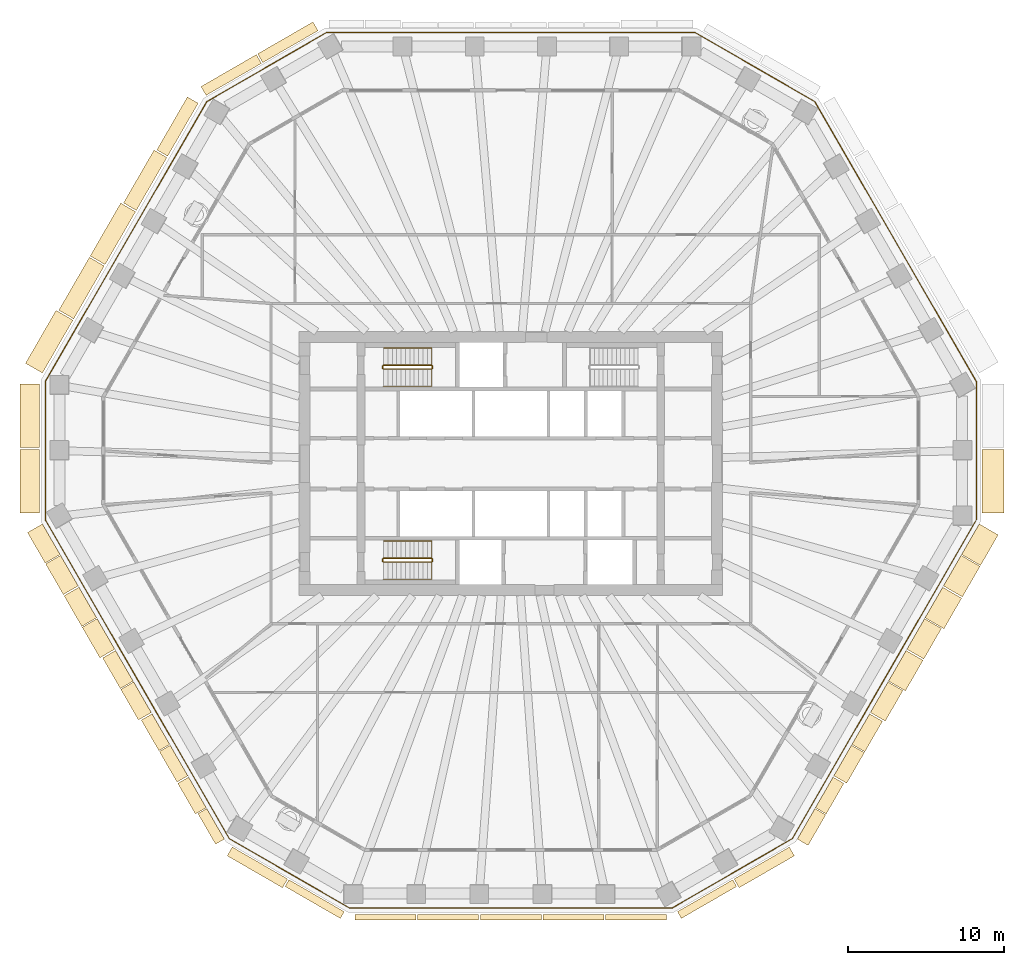
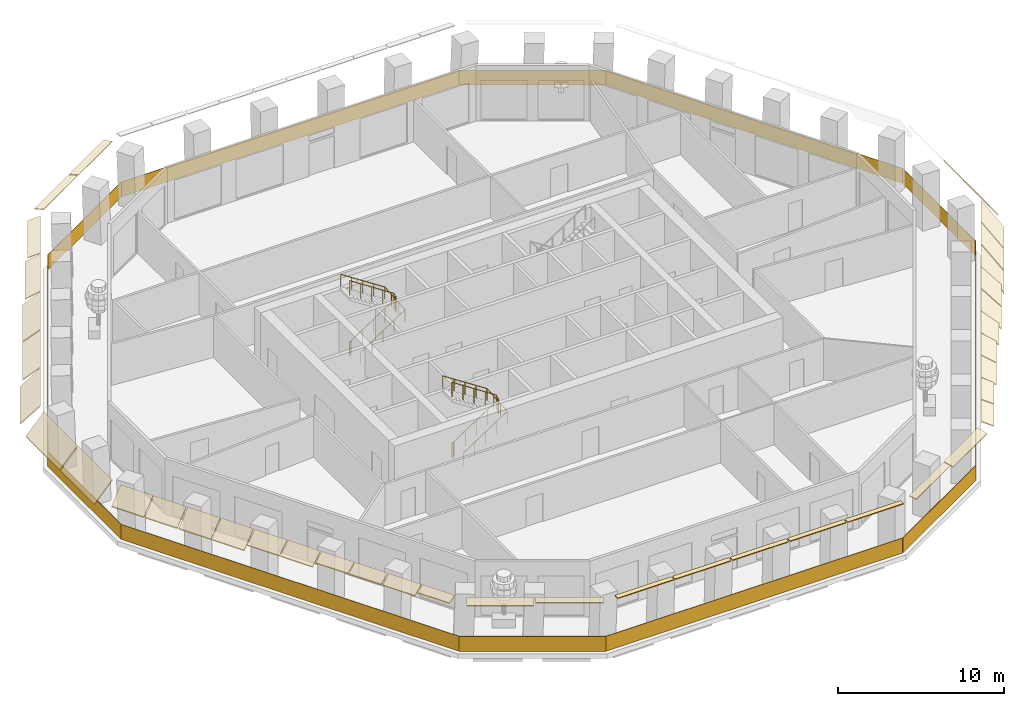
# One storey, part 9 of 12: 39 coverings, 5 railings.
"""IFC4 building model written with IfcOpenShell, lengths in metres."""

from ifc_helpers import new_model, si_unit, direction, frame, origin, origin_2d, place, context, subcontext, project, spatial, polyline, rectangle, circle, outline, extrude, material, layer, layer_set, type_object, element, save


model = new_model("IFC4")

# Units and contexts
model_context = context("Model", 3, precision=1e-05, world=origin(), true_north=direction((0.0, 1.0)))
body_context = subcontext(model_context, "Body", "Model", "MODEL_VIEW")
ifc_project = project(units=[si_unit("LENGTHUNIT", "METRE"), si_unit("AREAUNIT", "SQUARE_METRE"), si_unit("VOLUMEUNIT", "CUBIC_METRE"), si_unit("PLANEANGLEUNIT", "RADIAN"), si_unit("MASSUNIT", "GRAM", prefix="KILO")], contexts=[model_context])

# Site, building, storey
site_placement = place(None, origin())
site = spatial("IfcSite", under=ifc_project, at=site_placement, CompositionType="ELEMENT")
building_placement = place(site_placement, origin())
building = spatial("IfcBuilding", under=site, at=building_placement, Name="Frailejon Research Tower", CompositionType="ELEMENT")
storey_placement = place(building_placement, frame((0.0, 0.0, 171.60009765625)))
storey = spatial("IfcBuildingStorey", under=building, at=storey_placement, Name="L37", CompositionType="ELEMENT", Elevation=171.60009765625)

# Coverings
ifc_material_1 = material(Name="Precast concrete C50/60", Category="concrete")
ifc_layer_1 = layer(ifc_material_1, 0.06005859375)
ifc_layer_set_1 = layer_set([ifc_layer_1], Name="Brim blade depth 1100")
covering_type_1 = type_object("IfcCoveringType", Name="Brim blade depth 1100", PredefinedType="CLADDING", material=ifc_layer_set_1)
for number, where, z_axis, x_axis, name in (
    (1, (-25.977294921875, 12.74169921875, 4.25), (0.49999743218, 0.866026886311, 0.0), (-0.866026886311, 0.49999743218, 0.0), "Brim blade L37"),
    (2, (-27.981689453125, 9.270263671875, 4.25), (0.49999743218, 0.866026886311, 0.0), (-0.866026886311, 0.49999743218, 0.0), "Brim blade L37"),
):
    element("IfcCovering", number, at=place(storey_placement, frame(where, z_axis=z_axis, x_axis=x_axis)), inside=storey, type_object=covering_type_1, Name=name, PredefinedType="CLADDING", context=body_context, shape_type="SweptSolid", body=[
        extrude(outline(polyline([(0.0, -0.078369140625), (1.10009765625, -1.001220703125), (1.10009765625, -0.923095703125), (0.0, 0.0), (0.0, -0.078369140625)])), origin(), (0.0, 0.0, 1.0), 3.908447265625),
    ])
for number, where, z_axis, x_axis, name in (
    (3, (-28.856201171875, -5.819580078125, 4.25), (-0.499993786927, 0.866028990874, 0.0), (-0.866028990874, -0.499993786927, 0.0), "Brim blade L37"),
    (4, (-27.6962890625, -7.82861328125, 4.25), (-0.499993786927, 0.866028990874, 0.0), (-0.866028990874, -0.499993786927, 0.0), "Brim blade L37"),
    (5, (-26.5166015625, -9.871826171875, 4.25), (-0.500003041024, 0.866023648041, 0.0), (-0.866023648041, -0.500003041024, 0.0), "Brim blade L37"),
    (6, (-25.356689453125, -11.880615234375, 4.25), (-0.500003041024, 0.866023648041, 0.0), (-0.866023648041, -0.500003041024, 0.0), "Brim blade L37"),
    (7, (24.147216796875, -13.97607421875, 4.25), (-0.499993786927, -0.866028990874, 0.0), (0.866028990874, -0.499993786927, 0.0), "Brim blade L37"),
):
    element("IfcCovering", number, at=place(storey_placement, frame(where, z_axis=z_axis, x_axis=x_axis)), inside=storey, type_object=covering_type_1, Name=name, PredefinedType="CLADDING", context=body_context, shape_type="SweptSolid", body=[
        extrude(outline(polyline([(0.0, -0.078369140625), (1.10009765625, -1.001220703125), (1.10009765625, -0.923095703125), (0.0, 0.0), (0.0, -0.078369140625)])), origin(), (0.0, 0.0, 1.0), 2.259521484375),
    ])
ifc_material_2 = material(Name="Precast concrete C50/60", Category="concrete")
ifc_layer_2 = layer(ifc_material_2, 0.06005859375)
ifc_layer_set_2 = layer_set([ifc_layer_2], Name="Brim blade depth 1250")
covering_type_2 = type_object("IfcCoveringType", Name="Brim blade depth 1250", PredefinedType="CLADDING", material=ifc_layer_set_2)
covering_1_placement = place(storey_placement, frame((-29.98583984375, 5.798828125, 4.25), z_axis=(0.49999743218, 0.866026886311, 0.0), x_axis=(-0.866026886311, 0.49999743218, 0.0)))
element("IfcCovering", 8, at=covering_1_placement, inside=storey, type_object=covering_type_2, Name="Brim blade L37", PredefinedType="CLADDING", context=body_context, shape_type="SweptSolid", body=[
    extrude(outline(polyline([(0.0, -0.0888671875), (1.25, -1.452880859375), (1.25, -1.364013671875), (0.0, 0.0), (0.0, -0.0888671875)])), origin(), (0.0, 0.0, 1.0), 3.908447265625),
])
covering_2_placement = place(storey_placement, frame((-30.171630859375, 1.017822265625, 4.25), z_axis=(0.0, 1.0, 0.0), x_axis=(-1.0, 0.0, 0.0)))
element("IfcCovering", 9, at=covering_2_placement, inside=storey, type_object=covering_type_2, Name="Brim blade L37", PredefinedType="CLADDING", context=body_context, shape_type="SweptSolid", body=[
    extrude(outline(polyline([(0.0, -0.0888671875), (1.25, -1.452880859375), (1.25, -1.364013671875), (0.0, 0.0), (0.0, -0.0888671875)])), origin(), (0.0, 0.0, 1.0), 4.087646484375),
])
covering_3_placement = place(storey_placement, frame((-30.171630859375, -3.169677734375, 4.25), z_axis=(0.0, 1.0, 0.0), x_axis=(-1.0, 0.0, 0.0)))
element("IfcCovering", 10, at=covering_3_placement, inside=storey, type_object=covering_type_2, Name="Brim blade L37", PredefinedType="CLADDING", context=body_context, shape_type="SweptSolid", body=[
    extrude(outline(polyline([(0.0, -0.0888671875), (1.25, -1.452880859375), (1.25, -1.364013671875), (0.0, 0.0), (0.0, -0.0888671875)])), origin(), (0.0, 0.0, 1.0), 4.08740234375),
])
for number, where, z_axis, x_axis, name in (
    (11, (25.306884765625, -11.96728515625, 4.25), (-0.499993786927, -0.866028990874, 0.0), (0.866028990874, -0.499993786927, 0.0), "Brim blade L37"),
    (12, (26.486572265625, -9.923828125, 4.25), (-0.500003041024, -0.866023648041, 0.0), (0.866023648041, -0.500003041024, 0.0), "Brim blade L37"),
):
    element("IfcCovering", number, at=place(storey_placement, frame(where, z_axis=z_axis, x_axis=x_axis)), inside=storey, type_object=covering_type_2, Name=name, PredefinedType="CLADDING", context=body_context, shape_type="SweptSolid", body=[
        extrude(outline(polyline([(0.0, -0.0888671875), (1.25, -1.452880859375), (1.25, -1.364013671875), (0.0, 0.0), (0.0, -0.0888671875)])), origin(), (0.0, 0.0, 1.0), 2.259521484375),
    ])
ifc_material_3 = material(Name="Precast concrete C50/60", Category="concrete")
ifc_layer_3 = layer(ifc_material_3, 0.06005859375)
ifc_layer_set_3 = layer_set([ifc_layer_3], Name="Brim blade depth 1400")
covering_type_3 = type_object("IfcCoveringType", Name="Brim blade depth 1400", PredefinedType="CLADDING", material=ifc_layer_set_3)
covering_4_placement = place(storey_placement, frame((30.171630859375, 0.91796875, 4.25), z_axis=(0.0, -1.0, 0.0), x_axis=(1.0, 0.0, 0.0)))
element("IfcCovering", 13, at=covering_4_placement, inside=storey, type_object=covering_type_3, Name="Brim blade L37", PredefinedType="CLADDING", context=body_context, shape_type="SweptSolid", body=[
    extrude(outline(polyline([(0.0, -0.1044921875), (1.39990234375, -2.10400390625), (1.39990234375, -1.99951171875), (0.0, 0.0), (0.0, -0.1044921875)])), origin(), (0.0, 0.0, 1.0), 4.08740234375),
])
for number, where, z_axis, x_axis, name in (
    (14, (27.646240234375, -7.9150390625, 4.25), (-0.500003041024, -0.866023648041, 0.0), (0.866023648041, -0.500003041024, 0.0), "Brim blade L37"),
    (15, (28.826171875, -5.87158203125, 4.25), (-0.499993786927, -0.866028990874, 0.0), (0.866028990874, -0.499993786927, 0.0), "Brim blade L37"),
    (16, (29.98583984375, -3.86279296875, 4.25), (-0.499993786927, -0.866028990874, 0.0), (0.866028990874, -0.499993786927, 0.0), "Brim blade L37"),
):
    element("IfcCovering", number, at=place(storey_placement, frame(where, z_axis=z_axis, x_axis=x_axis)), inside=storey, type_object=covering_type_3, Name=name, PredefinedType="CLADDING", context=body_context, shape_type="SweptSolid", body=[
        extrude(outline(polyline([(0.0, -0.1044921875), (1.39990234375, -2.10400390625), (1.39990234375, -1.99951171875), (0.0, 0.0), (0.0, -0.1044921875)])), origin(), (0.0, 0.0, 1.0), 2.259521484375),
    ])
ifc_material_4 = material(Name="Precast concrete C50/60", Category="concrete")
ifc_layer_4 = layer(ifc_material_4, 0.06005859375)
ifc_layer_set_4 = layer_set([ifc_layer_4], Name="Brim blade depth 350")
covering_type_4 = type_object("IfcCoveringType", Name="Brim blade depth 350", PredefinedType="CLADDING", material=ifc_layer_set_4)
for number, where, z_axis, x_axis, name in (
    (17, (-6.0625, -28.867919921875, 4.25), (-1.0, 0.0, 0.0), (0.0, -1.0, 0.0), "Brim blade L37"),
    (18, (-2.05419921875, -28.867919921875, 4.25), (-1.0, 0.0, 0.0), (0.0, -1.0, 0.0), "Brim blade L37"),
    (19, (1.9541015625, -28.867919921875, 4.25), (-1.0, 0.0, 0.0), (0.0, -1.0, 0.0), "Brim blade L37"),
    (20, (5.962646484375, -28.867919921875, 4.25), (-1.0, 0.0, 0.0), (0.0, -1.0, 0.0), "Brim blade L37"),
    (21, (9.970947265625, -28.867919921875, 4.25), (-1.0, 0.0, 0.0), (0.0, -1.0, 0.0), "Brim blade L37"),
):
    element("IfcCovering", number, at=place(storey_placement, frame(where, z_axis=z_axis, x_axis=x_axis)), inside=storey, type_object=covering_type_4, Name=name, PredefinedType="CLADDING", context=body_context, shape_type="SweptSolid", body=[
        extrude(outline(polyline([(0.0, -0.06005859375), (0.35009765625, -0.06005859375), (0.35009765625, 0.0), (0.0, 0.0), (0.0, -0.06005859375)])), origin(), (0.0, 0.0, 1.0), 3.908447265625),
    ])
ifc_material_5 = material(Name="Precast concrete C50/60", Category="concrete")
ifc_layer_5 = layer(ifc_material_5, 0.06005859375)
ifc_layer_set_5 = layer_set([ifc_layer_5], Name="Brim blade depth 500")
covering_type_5 = type_object("IfcCoveringType", Name="Brim blade depth 500", PredefinedType="CLADDING", material=ifc_layer_set_5)
for number, where, z_axis, x_axis, name in (
    (22, (-10.664306640625, -28.68212890625, 4.25), (-0.866027315287, 0.499996689166, 0.0), (-0.499996689166, -0.866027315287, 0.0), "Brim blade L37"),
    (23, (14.204345703125, -26.63818359375, 4.25), (-0.866027315287, -0.499996689166, 0.0), (0.499996689166, -0.866027315287, 0.0), "Brim blade L37"),
):
    element("IfcCovering", number, at=place(storey_placement, frame(where, z_axis=z_axis, x_axis=x_axis)), inside=storey, type_object=covering_type_5, Name=name, PredefinedType="CLADDING", context=body_context, shape_type="SweptSolid", body=[
        extrude(outline(polyline([(0.0, -0.060546875), (0.5, -0.130859375), (0.5, -0.0703125), (0.0, 0.0), (0.0, -0.060546875)])), origin(), (0.0, 0.0, 1.0), 4.087646484375),
    ])
ifc_material_6 = material(Name="Precast concrete C50/60", Category="concrete")
ifc_layer_6 = layer(ifc_material_6, 0.06005859375)
ifc_layer_set_6 = layer_set([ifc_layer_6], Name="Brim blade depth 650")
covering_type_6 = type_object("IfcCoveringType", Name="Brim blade depth 650", PredefinedType="CLADDING", material=ifc_layer_set_6)
covering_5_placement = place(storey_placement, frame((-15.880859375, 25.67041015625, 4.25), z_axis=(0.866027315287, 0.499996689166, 0.0), x_axis=(-0.499996689166, 0.866027315287, 0.0)))
element("IfcCovering", 24, at=covering_5_placement, inside=storey, type_object=covering_type_6, Name="Brim blade L37", PredefinedType="CLADDING", context=body_context, shape_type="SweptSolid", body=[
    extrude(outline(polyline([(0.0, -0.0625), (0.64990234375, -0.248779296875), (0.64990234375, -0.186279296875), (0.0, 0.0), (0.0, -0.0625)])), origin(), (0.0, 0.0, 1.0), 4.087646484375),
])
covering_6_placement = place(storey_placement, frame((-19.50732421875, 23.57666015625, 4.25), z_axis=(0.866021344981, 0.500007029989, 0.0), x_axis=(-0.500007029989, 0.866021344981, 0.0)))
element("IfcCovering", 25, at=covering_6_placement, inside=storey, type_object=covering_type_6, Name="Brim blade L37", PredefinedType="CLADDING", context=body_context, shape_type="SweptSolid", body=[
    extrude(outline(polyline([(0.0, -0.0625), (0.64990234375, -0.248779296875), (0.64990234375, -0.186279296875), (0.0, 0.0), (0.0, -0.0625)])), origin(), (0.0, 0.0, 1.0), 4.08740234375),
])
covering_7_placement = place(storey_placement, frame((-18.33837890625, -24.037109375, 4.25), z_axis=(-0.499993786927, 0.866028990874, 0.0), x_axis=(-0.866028990874, -0.499993786927, 0.0)))
element("IfcCovering", 26, at=covering_7_placement, inside=storey, type_object=covering_type_6, Name="Brim blade L37", PredefinedType="CLADDING", context=body_context, shape_type="SweptSolid", body=[
    extrude(outline(polyline([(0.0, -0.0625), (0.64990234375, -0.248779296875), (0.64990234375, -0.186279296875), (0.0, 0.0), (0.0, -0.0625)])), origin(), (0.0, 0.0, 1.0), 2.259521484375),
])
for number, where, z_axis, x_axis, name in (
    (27, (-14.291015625, -26.58837890625, 4.25), (-0.866031685881, 0.499989118931, 0.0), (-0.499989118931, -0.866031685881, 0.0), "Brim blade L37"),
    (28, (17.830810546875, -24.544677734375, 4.25), (-0.866031685881, -0.499989118931, 0.0), (0.499989118931, -0.866031685881, 0.0), "Brim blade L37"),
):
    element("IfcCovering", number, at=place(storey_placement, frame(where, z_axis=z_axis, x_axis=x_axis)), inside=storey, type_object=covering_type_6, Name=name, PredefinedType="CLADDING", context=body_context, shape_type="SweptSolid", body=[
        extrude(outline(polyline([(0.0, -0.0625), (0.64990234375, -0.248779296875), (0.64990234375, -0.186279296875), (0.0, 0.0), (0.0, -0.0625)])), origin(), (0.0, 0.0, 1.0), 4.08740234375),
    ])
ifc_material_7 = material(Name="Precast concrete C50/60", Category="concrete")
ifc_layer_7 = layer(ifc_material_7, 0.06005859375)
ifc_layer_set_7 = layer_set([ifc_layer_7], Name="Brim blade depth 800")
covering_type_7 = type_object("IfcCoveringType", Name="Brim blade depth 800", PredefinedType="CLADDING", material=ifc_layer_set_7)
covering_8_placement = place(storey_placement, frame((-21.968994140625, 19.684326171875, 4.25), z_axis=(0.49999743218, 0.866026886311, 0.0), x_axis=(-0.866026886311, 0.49999743218, 0.0)))
element("IfcCovering", 29, at=covering_8_placement, inside=storey, type_object=covering_type_7, Name="Brim blade L37", PredefinedType="CLADDING", context=body_context, shape_type="SweptSolid", body=[
    extrude(outline(polyline([(0.0, -0.065673828125), (0.800048828125, -0.421875), (0.800048828125, -0.356201171875), (0.0, 0.0), (0.0, -0.065673828125)])), origin(), (0.0, 0.0, 1.0), 3.908447265625),
])
for number, where, z_axis, x_axis, name in (
    (30, (-21.837646484375, -17.976318359375, 4.25), (-0.500003041024, 0.866023648041, 0.0), (-0.866023648041, -0.500003041024, 0.0), "Brim blade L37"),
    (31, (-20.677734375, -19.98486328125, 4.25), (-0.500003041024, 0.866023648041, 0.0), (-0.866023648041, -0.500003041024, 0.0), "Brim blade L37"),
    (32, (-19.498046875, -22.0283203125, 4.25), (-0.499993786927, 0.866028990874, 0.0), (-0.866028990874, -0.499993786927, 0.0), "Brim blade L37"),
    (33, (19.468017578125, -22.080322265625, 4.25), (-0.499993786927, -0.866028990874, 0.0), (0.866028990874, -0.499993786927, 0.0), "Brim blade L37"),
    (34, (20.627685546875, -20.071533203125, 4.25), (-0.499993786927, -0.866028990874, 0.0), (0.866028990874, -0.499993786927, 0.0), "Brim blade L37"),
):
    element("IfcCovering", number, at=place(storey_placement, frame(where, z_axis=z_axis, x_axis=x_axis)), inside=storey, type_object=covering_type_7, Name=name, PredefinedType="CLADDING", context=body_context, shape_type="SweptSolid", body=[
        extrude(outline(polyline([(0.0, -0.065673828125), (0.800048828125, -0.421875), (0.800048828125, -0.356201171875), (0.0, 0.0), (0.0, -0.065673828125)])), origin(), (0.0, 0.0, 1.0), 2.259521484375),
    ])
ifc_material_8 = material(Name="Precast concrete C50/60", Category="concrete")
ifc_layer_8 = layer(ifc_material_8, 0.06005859375)
ifc_layer_set_8 = layer_set([ifc_layer_8], Name="Brim blade depth 950")
covering_type_8 = type_object("IfcCoveringType", Name="Brim blade depth 950", PredefinedType="CLADDING", material=ifc_layer_set_8)
covering_9_placement = place(storey_placement, frame((-23.97314453125, 16.212890625, 4.25), z_axis=(0.500008235109, 0.86602064919, 0.0), x_axis=(-0.86602064919, 0.500008235109, 0.0)))
element("IfcCovering", 35, at=covering_9_placement, inside=storey, type_object=covering_type_8, Name="Brim blade L37", PredefinedType="CLADDING", context=body_context, shape_type="SweptSolid", body=[
    extrude(outline(polyline([(0.0, -0.07080078125), (0.949951171875, -0.664306640625), (0.949951171875, -0.593505859375), (0.0, 0.0), (0.0, -0.07080078125)])), origin(), (0.0, 0.0, 1.0), 3.908203125),
])
for number, where, z_axis, x_axis, name in (
    (36, (-24.177001953125, -13.924072265625, 4.25), (-0.499993786927, 0.866028990874, 0.0), (-0.866028990874, -0.499993786927, 0.0), "Brim blade L37"),
    (37, (-23.017333984375, -15.932861328125, 4.25), (-0.499993786927, 0.866028990874, 0.0), (-0.866028990874, -0.499993786927, 0.0), "Brim blade L37"),
    (38, (21.8076171875, -18.028076171875, 4.25), (-0.500003041024, -0.866023648041, 0.0), (0.866023648041, -0.500003041024, 0.0), "Brim blade L37"),
    (39, (22.96728515625, -16.019287109375, 4.25), (-0.500003041024, -0.866023648041, 0.0), (0.866023648041, -0.500003041024, 0.0), "Brim blade L37"),
):
    element("IfcCovering", number, at=place(storey_placement, frame(where, z_axis=z_axis, x_axis=x_axis)), inside=storey, type_object=covering_type_8, Name=name, PredefinedType="CLADDING", context=body_context, shape_type="SweptSolid", body=[
        extrude(outline(polyline([(0.0, -0.07080078125), (0.949951171875, -0.664306640625), (0.949951171875, -0.593505859375), (0.0, 0.0), (0.0, -0.07080078125)])), origin(), (0.0, 0.0, 1.0), 2.259521484375),
    ])

# Railings
ifc_material_9 = material(Name="Laminated glass balustrade", Category="glass")
railing_type_1 = type_object("IfcRailingType", Name="Glass guard 1100", PredefinedType="GUARDRAIL", material=ifc_material_9)
railing_1_placement = place(storey_placement, frame((29.800537109375, -3.601318359375, 0.0)))
element("IfcRailing", 40, at=railing_1_placement, inside=storey, type_object=railing_type_1, Name="Loggia guard L37", PredefinedType="GUARDRAIL", context=body_context, shape_type="SweptSolid", body=[
    extrude(rectangle(XDim=8.862060546875, YDim=0.030029296875, at=origin_2d()), frame((0.0, 4.43115234375, 0.0), z_axis=(0.0, 0.0, 1.0), x_axis=(0.0, 1.0, 0.0)), (0.0, 0.0, 1.0), 1.10009765625),
    extrude(rectangle(XDim=20.688720703125, YDim=0.030029296875, at=origin_2d()), frame((-5.17236328125, 17.8203125, 0.0), z_axis=(0.0, 0.0, 1.0), x_axis=(-0.500008813306, 0.86602031536, 0.0)), (0.0, 0.0, 1.0), 1.10009765625),
    extrude(rectangle(XDim=8.862060546875, YDim=0.030029296875, at=origin_2d()), frame((-14.181884765625, 28.994384765625, 0.0), z_axis=(0.0, 0.0, 1.0), x_axis=(-0.86602043012, 0.50000861454, 0.0)), (0.0, 0.0, 1.0), 1.10009765625),
    extrude(rectangle(XDim=23.5625, YDim=0.030029296875, at=origin_2d()), frame((-29.800537109375, 31.2099609375, 0.0), z_axis=(0.0, 0.0, 1.0), x_axis=(-1.0, 0.0, 0.0)), (0.0, 0.0, 1.0), 1.10009765625),
    extrude(rectangle(XDim=8.862060546875, YDim=0.030029296875, at=origin_2d()), frame((-45.419189453125, 28.994384765625, 0.0), z_axis=(0.0, 0.0, 1.0), x_axis=(-0.86602043012, -0.50000861454, 0.0)), (0.0, 0.0, 1.0), 1.10009765625),
    extrude(rectangle(XDim=20.688720703125, YDim=0.030029296875, at=origin_2d()), frame((-54.4287109375, 17.8203125, 0.0), z_axis=(0.0, 0.0, 1.0), x_axis=(-0.500008813306, -0.86602031536, 0.0)), (0.0, 0.0, 1.0), 1.10009765625),
    extrude(rectangle(XDim=8.862060546875, YDim=0.030029296875, at=origin_2d()), frame((-59.60107421875, 4.43115234375, 0.0), z_axis=(0.0, 0.0, 1.0), x_axis=(0.0, -1.0, 0.0)), (0.0, 0.0, 1.0), 1.10009765625),
    extrude(rectangle(XDim=23.56298828125, YDim=0.030029296875, at=origin_2d()), frame((-53.71044921875, -10.203125, 0.0), z_axis=(0.0, 0.0, 1.0), x_axis=(0.500002583447, -0.866023912225, 0.0)), (0.0, 0.0, 1.0), 1.10009765625),
    extrude(rectangle(XDim=8.862060546875, YDim=0.030029296875, at=origin_2d()), frame((-43.982177734375, -22.62158203125, 0.0), z_axis=(0.0, 0.0, 1.0), x_axis=(0.866032359105, -0.499987952838, 0.0)), (0.0, 0.0, 1.0), 1.10009765625),
    extrude(rectangle(XDim=20.6884765625, YDim=0.030029296875, at=origin_2d()), frame((-29.800537109375, -24.8369140625, 0.0), z_axis=(0.0, 0.0, 1.0), x_axis=(1.0, 0.0, 0.0)), (0.0, 0.0, 1.0), 1.10009765625),
    extrude(rectangle(XDim=8.862060546875, YDim=0.030029296875, at=origin_2d()), frame((-15.618896484375, -22.62158203125, 0.0), z_axis=(0.0, 0.0, 1.0), x_axis=(0.866032359105, 0.499987952838, 0.0)), (0.0, 0.0, 1.0), 1.10009765625),
    extrude(rectangle(XDim=23.49267578125, YDim=0.030029296875, at=origin_2d()), frame((-5.908203125, -10.2333984375, 0.0), z_axis=(0.0, 0.0, 1.0), x_axis=(0.500000722264, 0.866024986785, 0.0)), (0.0, 0.0, 1.0), 1.10009765625),
])
ifc_material_10 = material(Name="Stainless steel", Category="steel")
railing_type_2 = type_object("IfcRailingType", Name="Stair guard 1100", PredefinedType="GUARDRAIL", material=ifc_material_10)
railing_2_placement = place(storey_placement, frame((-8.199951171875, 6.25, 0.0)))
element("IfcRailing", 41, at=railing_2_placement, inside=storey, type_object=railing_type_2, Name="L37 ST1 stair guard 1", PredefinedType="GUARDRAIL", context=body_context, shape_type="SweptSolid", body=[
    extrude(circle(Radius=0.02392578125, at=origin_2d()), frame((0.0, 0.0, 1.076171875), z_axis=(0.0, -1.0, 0.0), x_axis=(1.0, 0.0, 0.0)), (0.0, 0.0, 1.0), 0.14990234375),
    extrude(circle(Radius=0.02392578125, at=origin_2d()), frame((0.0, -0.14990234375, 1.076171875), z_axis=(0.254653276557, -0.254653276557, 0.932900539971), x_axis=(0.707106781187, 0.707106781187, 0.0)), (0.0, 0.0, 1.0), 0.196533203125),
    extrude(circle(Radius=0.02392578125, at=origin_2d()), frame((0.050048828125, -0.199951171875, 1.25927734375), z_axis=(0.836613101238, 0.0, 0.547794230379), x_axis=(0.0, 1.0, 0.0)), (0.0, 0.0, 1.0), 3.681396484375),
    extrude(circle(Radius=0.02392578125, at=origin_2d()), frame((3.1298828125, -0.199951171875, 3.27587890625), z_axis=(0.707106781187, 0.707106781187, 0.0), x_axis=(-0.707106781187, 0.707106781187, 0.0)), (0.0, 0.0, 1.0), 0.07080078125),
    extrude(circle(Radius=0.02392578125, at=origin_2d()), frame((3.179931640625, -0.14990234375, 3.27587890625), z_axis=(0.0, 1.0, 0.0), x_axis=(-1.0, 0.0, 0.0)), (0.0, 0.0, 1.0), 0.14990234375),
    extrude(circle(Radius=0.02392578125, at=origin_2d()), frame((3.179931640625, 0.0, 3.27587890625), z_axis=(-0.254653276557, 0.254653276557, 0.932900539971), x_axis=(-0.707106781187, -0.707106781187, 0.0)), (0.0, 0.0, 1.0), 0.196533203125),
    extrude(circle(Radius=0.02392578125, at=origin_2d()), frame((3.1298828125, 0.050048828125, 3.45947265625), z_axis=(-0.836613101238, 0.0, 0.547794230379), x_axis=(0.0, -1.0, 0.0)), (0.0, 0.0, 1.0), 3.681396484375),
    extrude(circle(Radius=0.02099609375, at=origin_2d()), origin(), (0.0, 0.0, 1.0), 1.052001953125),
    extrude(circle(Radius=0.02099609375, at=origin_2d()), frame((0.0, -0.14990234375, 0.0)), (0.0, 0.0, 1.0), 1.052001953125),
    extrude(circle(Radius=0.02099609375, at=origin_2d()), frame((0.050048828125, -0.199951171875, 0.183349609375)), (0.0, 0.0, 1.0), 1.052001953125),
    extrude(circle(Radius=0.02099609375, at=origin_2d()), frame((0.820068359375, -0.199951171875, 0.6875)), (0.0, 0.0, 1.0), 1.052001953125),
    extrude(circle(Radius=0.02099609375, at=origin_2d()), frame((1.58984375, -0.199951171875, 1.191650390625)), (0.0, 0.0, 1.0), 1.052001953125),
    extrude(circle(Radius=0.02099609375, at=origin_2d()), frame((2.35986328125, -0.199951171875, 1.69580078125)), (0.0, 0.0, 1.0), 1.052001953125),
    extrude(circle(Radius=0.02099609375, at=origin_2d()), frame((3.1298828125, -0.199951171875, 2.199951171875)), (0.0, 0.0, 1.0), 1.052001953125),
    extrude(circle(Radius=0.02099609375, at=origin_2d()), frame((3.179931640625, -0.14990234375, 2.199951171875)), (0.0, 0.0, 1.0), 1.052001953125),
    extrude(circle(Radius=0.02099609375, at=origin_2d()), frame((3.179931640625, 0.0, 2.199951171875)), (0.0, 0.0, 1.0), 1.052001953125),
    extrude(circle(Radius=0.02099609375, at=origin_2d()), frame((3.1298828125, 0.050048828125, 2.38330078125)), (0.0, 0.0, 1.0), 1.052001953125),
    extrude(circle(Radius=0.02099609375, at=origin_2d()), frame((2.35986328125, 0.050048828125, 2.887451171875)), (0.0, 0.0, 1.0), 1.052001953125),
    extrude(circle(Radius=0.02099609375, at=origin_2d()), frame((1.58984375, 0.050048828125, 3.3916015625)), (0.0, 0.0, 1.0), 1.052001953125),
    extrude(circle(Radius=0.02099609375, at=origin_2d()), frame((0.820068359375, 0.050048828125, 3.895751953125)), (0.0, 0.0, 1.0), 1.052001953125),
    extrude(circle(Radius=0.02099609375, at=origin_2d()), frame((0.050048828125, 0.050048828125, 4.39990234375)), (0.0, 0.0, 1.0), 1.052001953125),
])
railing_3_placement = place(storey_placement, frame((-8.199951171875, -6.10009765625, 0.0)))
element("IfcRailing", 42, at=railing_3_placement, inside=storey, type_object=railing_type_2, Name="L37 ST2 stair guard 1", PredefinedType="GUARDRAIL", context=body_context, shape_type="SweptSolid", body=[
    extrude(circle(Radius=0.02392578125, at=origin_2d()), frame((0.0, 0.0, 1.076171875), z_axis=(0.0, -1.0, 0.0), x_axis=(1.0, 0.0, 0.0)), (0.0, 0.0, 1.0), 0.14990234375),
    extrude(circle(Radius=0.02392578125, at=origin_2d()), frame((0.0, -0.14990234375, 1.076171875), z_axis=(0.254653276557, -0.254653276557, 0.932900539971), x_axis=(0.707106781187, 0.707106781187, 0.0)), (0.0, 0.0, 1.0), 0.196533203125),
    extrude(circle(Radius=0.02392578125, at=origin_2d()), frame((0.050048828125, -0.199951171875, 1.25927734375), z_axis=(0.836613101238, 0.0, 0.547794230379), x_axis=(0.0, 1.0, 0.0)), (0.0, 0.0, 1.0), 3.681396484375),
    extrude(circle(Radius=0.02392578125, at=origin_2d()), frame((3.1298828125, -0.199951171875, 3.27587890625), z_axis=(0.707106781187, 0.707106781187, 0.0), x_axis=(-0.707106781187, 0.707106781187, 0.0)), (0.0, 0.0, 1.0), 0.07080078125),
    extrude(circle(Radius=0.02392578125, at=origin_2d()), frame((3.179931640625, -0.14990234375, 3.27587890625), z_axis=(0.0, 1.0, 0.0), x_axis=(-1.0, 0.0, 0.0)), (0.0, 0.0, 1.0), 0.14990234375),
    extrude(circle(Radius=0.02392578125, at=origin_2d()), frame((3.179931640625, 0.0, 3.27587890625), z_axis=(-0.254653276557, 0.254653276557, 0.932900539971), x_axis=(-0.707106781187, -0.707106781187, 0.0)), (0.0, 0.0, 1.0), 0.196533203125),
    extrude(circle(Radius=0.02392578125, at=origin_2d()), frame((3.1298828125, 0.050048828125, 3.45947265625), z_axis=(-0.836613101238, 0.0, 0.547794230379), x_axis=(0.0, -1.0, 0.0)), (0.0, 0.0, 1.0), 3.681396484375),
    extrude(circle(Radius=0.02099609375, at=origin_2d()), origin(), (0.0, 0.0, 1.0), 1.052001953125),
    extrude(circle(Radius=0.02099609375, at=origin_2d()), frame((0.0, -0.14990234375, 0.0)), (0.0, 0.0, 1.0), 1.052001953125),
    extrude(circle(Radius=0.02099609375, at=origin_2d()), frame((0.050048828125, -0.199951171875, 0.183349609375)), (0.0, 0.0, 1.0), 1.052001953125),
    extrude(circle(Radius=0.02099609375, at=origin_2d()), frame((0.820068359375, -0.199951171875, 0.6875)), (0.0, 0.0, 1.0), 1.052001953125),
    extrude(circle(Radius=0.02099609375, at=origin_2d()), frame((1.58984375, -0.199951171875, 1.191650390625)), (0.0, 0.0, 1.0), 1.052001953125),
    extrude(circle(Radius=0.02099609375, at=origin_2d()), frame((2.35986328125, -0.199951171875, 1.69580078125)), (0.0, 0.0, 1.0), 1.052001953125),
    extrude(circle(Radius=0.02099609375, at=origin_2d()), frame((3.1298828125, -0.199951171875, 2.199951171875)), (0.0, 0.0, 1.0), 1.052001953125),
    extrude(circle(Radius=0.02099609375, at=origin_2d()), frame((3.179931640625, -0.14990234375, 2.199951171875)), (0.0, 0.0, 1.0), 1.052001953125),
    extrude(circle(Radius=0.02099609375, at=origin_2d()), frame((3.179931640625, 0.0, 2.199951171875)), (0.0, 0.0, 1.0), 1.052001953125),
    extrude(circle(Radius=0.02099609375, at=origin_2d()), frame((3.1298828125, 0.050048828125, 2.38330078125)), (0.0, 0.0, 1.0), 1.052001953125),
    extrude(circle(Radius=0.02099609375, at=origin_2d()), frame((2.35986328125, 0.050048828125, 2.887451171875)), (0.0, 0.0, 1.0), 1.052001953125),
    extrude(circle(Radius=0.02099609375, at=origin_2d()), frame((1.58984375, 0.050048828125, 3.3916015625)), (0.0, 0.0, 1.0), 1.052001953125),
    extrude(circle(Radius=0.02099609375, at=origin_2d()), frame((0.820068359375, 0.050048828125, 3.895751953125)), (0.0, 0.0, 1.0), 1.052001953125),
    extrude(circle(Radius=0.02099609375, at=origin_2d()), frame((0.050048828125, 0.050048828125, 4.39990234375)), (0.0, 0.0, 1.0), 1.052001953125),
])
ifc_material_11 = material(Name="Stainless steel", Category="steel")
railing_type_3 = type_object("IfcRailingType", Name="Stair handrail 900", PredefinedType="HANDRAIL", material=ifc_material_11)
railing_4_placement = place(storey_placement, frame((-8.14990234375, 4.949951171875, 0.183349609375)))
element("IfcRailing", 43, at=railing_4_placement, inside=storey, type_object=railing_type_3, Name="L37 ST1 stair handrail 1", PredefinedType="HANDRAIL", context=body_context, shape_type="SweptSolid", body=[
    extrude(circle(Radius=0.02392578125, at=origin_2d()), frame((0.0, 0.0, 0.8759765625), z_axis=(0.836613101238, 0.0, 0.547794230379), x_axis=(0.0, 1.0, 0.0)), (0.0, 0.0, 1.0), 3.681396484375),
    extrude(circle(Radius=0.02392578125, at=origin_2d()), frame((3.079833984375, 0.0, 2.892578125), z_axis=(0.0, 0.99721134034, 0.074629368868), x_axis=(-1.0, 0.0, 0.0)), (0.0, 0.0, 1.0), 2.456787109375),
    extrude(circle(Radius=0.02392578125, at=origin_2d()), frame((3.079833984375, 2.449951171875, 3.07568359375), z_axis=(-0.836613101238, 0.0, 0.547794230379), x_axis=(0.0, -1.0, 0.0)), (0.0, 0.0, 1.0), 3.681396484375),
    extrude(circle(Radius=0.02099609375, at=origin_2d()), origin(), (0.0, 0.0, 1.0), 0.851806640625),
    extrude(circle(Radius=0.02099609375, at=origin_2d()), frame((0.77001953125, 0.0, 0.504150390625)), (0.0, 0.0, 1.0), 0.851806640625),
    extrude(circle(Radius=0.02099609375, at=origin_2d()), frame((1.5400390625, 0.0, 1.00830078125)), (0.0, 0.0, 1.0), 0.851806640625),
    extrude(circle(Radius=0.02099609375, at=origin_2d()), frame((2.309814453125, 0.0, 1.512451171875)), (0.0, 0.0, 1.0), 0.851806640625),
    extrude(circle(Radius=0.02099609375, at=origin_2d()), frame((3.079833984375, 0.0, 2.0166015625)), (0.0, 0.0, 1.0), 0.851806640625),
    extrude(circle(Radius=0.02099609375, at=origin_2d()), frame((3.079833984375, 0.816650390625, 2.07763671875)), (0.0, 0.0, 1.0), 0.851806640625),
    extrude(circle(Radius=0.02099609375, at=origin_2d()), frame((3.079833984375, 1.63330078125, 2.138916015625)), (0.0, 0.0, 1.0), 0.851806640625),
    extrude(circle(Radius=0.02099609375, at=origin_2d()), frame((3.079833984375, 2.449951171875, 2.199951171875)), (0.0, 0.0, 1.0), 0.851806640625),
    extrude(circle(Radius=0.02099609375, at=origin_2d()), frame((2.309814453125, 2.449951171875, 2.7041015625)), (0.0, 0.0, 1.0), 0.851806640625),
    extrude(circle(Radius=0.02099609375, at=origin_2d()), frame((1.5400390625, 2.449951171875, 3.208251953125)), (0.0, 0.0, 1.0), 0.851806640625),
    extrude(circle(Radius=0.02099609375, at=origin_2d()), frame((0.77001953125, 2.449951171875, 3.71240234375)), (0.0, 0.0, 1.0), 0.851806640625),
    extrude(circle(Radius=0.02099609375, at=origin_2d()), frame((0.0, 2.449951171875, 4.216552734375)), (0.0, 0.0, 1.0), 0.851806640625),
])
railing_5_placement = place(storey_placement, frame((-8.14990234375, -7.39990234375, 0.183349609375)))
element("IfcRailing", 44, at=railing_5_placement, inside=storey, type_object=railing_type_3, Name="L37 ST2 stair handrail 1", PredefinedType="HANDRAIL", context=body_context, shape_type="SweptSolid", body=[
    extrude(circle(Radius=0.02392578125, at=origin_2d()), frame((0.0, 0.0, 0.8759765625), z_axis=(0.836613101238, 0.0, 0.547794230379), x_axis=(0.0, 1.0, 0.0)), (0.0, 0.0, 1.0), 3.681396484375),
    extrude(circle(Radius=0.02392578125, at=origin_2d()), frame((3.079833984375, 0.0, 2.892578125), z_axis=(0.0, 0.99721134034, 0.074629368868), x_axis=(-1.0, 0.0, 0.0)), (0.0, 0.0, 1.0), 2.456787109375),
    extrude(circle(Radius=0.02392578125, at=origin_2d()), frame((3.079833984375, 2.449951171875, 3.07568359375), z_axis=(-0.836613101238, 0.0, 0.547794230379), x_axis=(0.0, -1.0, 0.0)), (0.0, 0.0, 1.0), 3.681396484375),
    extrude(circle(Radius=0.02099609375, at=origin_2d()), origin(), (0.0, 0.0, 1.0), 0.851806640625),
    extrude(circle(Radius=0.02099609375, at=origin_2d()), frame((0.77001953125, 0.0, 0.504150390625)), (0.0, 0.0, 1.0), 0.851806640625),
    extrude(circle(Radius=0.02099609375, at=origin_2d()), frame((1.5400390625, 0.0, 1.00830078125)), (0.0, 0.0, 1.0), 0.851806640625),
    extrude(circle(Radius=0.02099609375, at=origin_2d()), frame((2.309814453125, 0.0, 1.512451171875)), (0.0, 0.0, 1.0), 0.851806640625),
    extrude(circle(Radius=0.02099609375, at=origin_2d()), frame((3.079833984375, 0.0, 2.0166015625)), (0.0, 0.0, 1.0), 0.851806640625),
    extrude(circle(Radius=0.02099609375, at=origin_2d()), frame((3.079833984375, 0.816650390625, 2.07763671875)), (0.0, 0.0, 1.0), 0.851806640625),
    extrude(circle(Radius=0.02099609375, at=origin_2d()), frame((3.079833984375, 1.63330078125, 2.138916015625)), (0.0, 0.0, 1.0), 0.851806640625),
    extrude(circle(Radius=0.02099609375, at=origin_2d()), frame((3.079833984375, 2.449951171875, 2.199951171875)), (0.0, 0.0, 1.0), 0.851806640625),
    extrude(circle(Radius=0.02099609375, at=origin_2d()), frame((2.309814453125, 2.449951171875, 2.7041015625)), (0.0, 0.0, 1.0), 0.851806640625),
    extrude(circle(Radius=0.02099609375, at=origin_2d()), frame((1.5400390625, 2.449951171875, 3.208251953125)), (0.0, 0.0, 1.0), 0.851806640625),
    extrude(circle(Radius=0.02099609375, at=origin_2d()), frame((0.77001953125, 2.449951171875, 3.71240234375)), (0.0, 0.0, 1.0), 0.851806640625),
    extrude(circle(Radius=0.02099609375, at=origin_2d()), frame((0.0, 2.449951171875, 4.216552734375)), (0.0, 0.0, 1.0), 0.851806640625),
])

save(model, "model.ifc")
